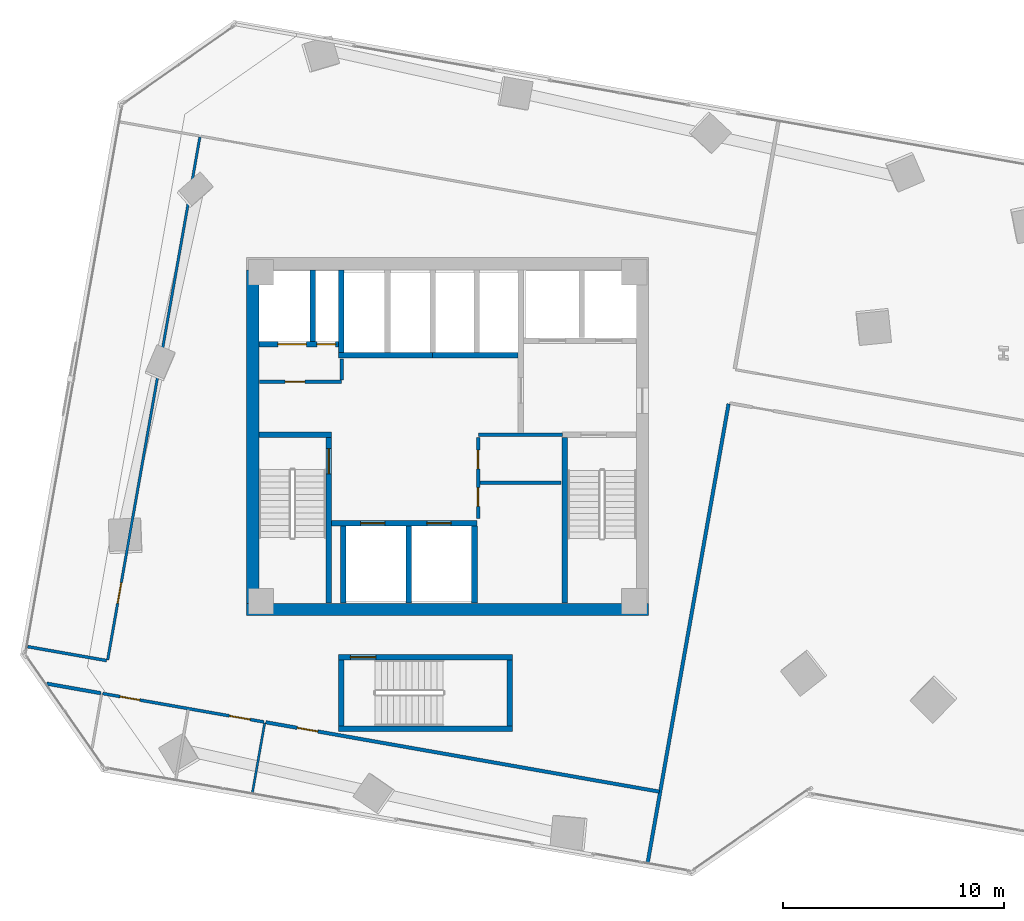
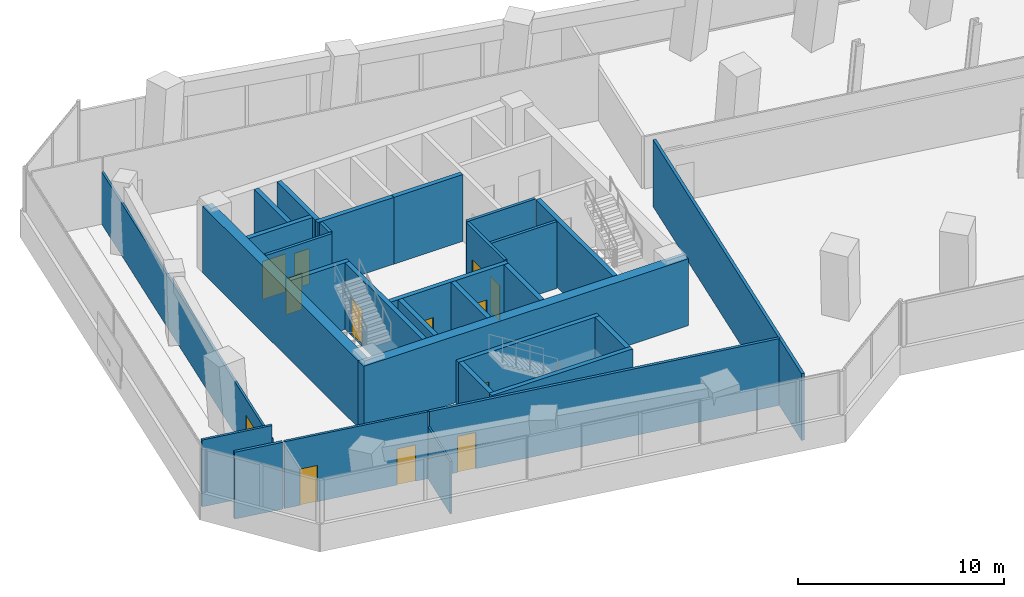
# One storey, part 20 of 24: 30 walls, 13 doors, 13 openings.
"""IFC4 building model written with IfcOpenShell, lengths in metres."""

from ifc_helpers import new_model, si_unit, direction, frame, frame_2d, origin, place, context, subcontext, project, spatial, rectangle, extrude, source, transform, mapped, material, layer, layer_set, type_object, element, fill, save


model = new_model("IFC4")

# Units and contexts
model_context = context("Model", 3, precision=1e-05, world=origin(), true_north=direction((0.0, 1.0)))
body_context = subcontext(model_context, "Body", "Model", "MODEL_VIEW")
ifc_project = project(units=[si_unit("LENGTHUNIT", "METRE"), si_unit("AREAUNIT", "SQUARE_METRE"), si_unit("VOLUMEUNIT", "CUBIC_METRE"), si_unit("PLANEANGLEUNIT", "RADIAN"), si_unit("MASSUNIT", "GRAM", prefix="KILO")], contexts=[model_context])

# Site, building, storey
site_placement = place(None, origin())
site = spatial("IfcSite", under=ifc_project, at=site_placement, CompositionType="ELEMENT")
building_placement = place(site_placement, origin())
building = spatial("IfcBuilding", under=site, at=building_placement, Name="Torre Montelarca", CompositionType="ELEMENT")
storey_placement = place(building_placement, frame((0.0, 0.0, 83.199951171875)))
storey = spatial("IfcBuildingStorey", under=building, at=storey_placement, Name="L18", CompositionType="ELEMENT", Elevation=83.199951171875)

# Wall, opening, door
ifc_material_1 = material(Name="Concrete C40/50", Category="concrete")
ifc_layer_1 = layer(ifc_material_1, 0.25, Name="Concrete C40/50", Category="concrete")
ifc_layer_set_1 = layer_set([ifc_layer_1], Name="Concrete C40/50")
wall_type_1 = type_object("IfcWallType", Name="CW-SHAFT-250", PredefinedType="SHEAR", material=ifc_layer_set_1)
wall_1_placement = place(storey_placement, frame((12.625, 24.4599609375, 0.0), z_axis=(0.0, 0.0, 1.0), x_axis=(0.0, 1.0, 0.0)))
wall_1 = element("IfcWall", 1, at=wall_1_placement, inside=storey, type_object=wall_type_1, Name="L18 Core Shear Wall SH-ST1-E", PredefinedType="SHEAR", context=body_context, shape_type="SweptSolid", body=[
    extrude(rectangle(XDim=7.489990234375, YDim=0.25, at=frame_2d((3.7451171875, 0.0))), origin(), (0.0, 0.0, 1.0), 3.9599609375),
])
opening_1_placement = place(wall_1_placement, frame((5.85009765625, 0.0, 0.0)))
opening_1 = element("IfcOpeningElement", 2, at=opening_1_placement, cuts=wall_1, Name="Opening FD-ST1", PredefinedType="OPENING", context=body_context, shape_type="SweptSolid", body=[
    extrude(rectangle(XDim=1.14990234375, YDim=2.199951171875, at=frame_2d((0.574951171875, 1.10009765625))), frame((0.0, 0.135009765625, 0.0), z_axis=(0.0, -1.0, 0.0), x_axis=(1.0, 0.0, 0.0)), (0.0, 0.0, 1.0), 0.27001953125),
])
ifc_material_2 = material(Name="Galvanized steel fire door", Category="steel")
door_type_1 = type_object("IfcDoorType", Name="DR-STAIR-115", OperationType="NOTDEFINED", PredefinedType="DOOR", material=ifc_material_2)
shared_shape_1 = source(origin(), body_context, "Body", "SweptSolid", [
    extrude(rectangle(XDim=1.14990234375, YDim=2.199951171875, at=frame_2d((0.574951171875, 1.10009765625))), frame((0.0, 0.02490234375, 0.0), z_axis=(0.0, -1.0, 0.0), x_axis=(1.0, 0.0, 0.0)), (0.0, 0.0, 1.0), 0.050048828125),
])
door_1_placement = place(opening_1_placement, origin())
door_1 = element("IfcDoor", 3, at=door_1_placement, inside=storey, type_object=door_type_1, Name="L18 Exit Stair ST1 Fire Door", OperationType="SINGLE_SWING_RIGHT", OverallHeight=2.199951171875, OverallWidth=1.14990234375, PredefinedType="DOOR", context=body_context, shape_type="MappedRepresentation", body=[
    mapped(shared_shape_1, transform((0.0, 0.0, 0.0), scale=1.0)),
])
fill(opening_1, door_1)

# Walls
wall_2_placement = place(storey_placement, frame((9.4599609375, 32.074951171875, 0.0), z_axis=(0.0, 0.0, 1.0), x_axis=(1.0, 0.0, 0.0)))
element("IfcWall", 4, at=wall_2_placement, inside=storey, type_object=wall_type_1, Name="L18 Core Shear Wall SH-ST1-N", PredefinedType="SHEAR", context=body_context, shape_type="SweptSolid", body=[
    extrude(rectangle(XDim=3.2900390625, YDim=0.25, at=frame_2d((1.64501953125, 0.0))), origin(), (0.0, 0.0, 1.0), 3.9599609375),
])
wall_3_placement = place(storey_placement, frame((23.31494140625, 24.4599609375, 0.0), z_axis=(0.0, 0.0, 1.0), x_axis=(0.0, 1.0, 0.0)))
element("IfcWall", 5, at=wall_3_placement, inside=storey, type_object=wall_type_1, Name="L18 Core Shear Wall SH-ST2-W", PredefinedType="SHEAR", context=body_context, shape_type="SweptSolid", body=[
    extrude(rectangle(XDim=7.489990234375, YDim=0.25, at=frame_2d((3.7451171875, 0.0))), origin(), (0.0, 0.0, 1.0), 3.9599609375),
])

# Wall, openings, doors
wall_4_placement = place(storey_placement, frame((9.4599609375, 36.179931640625, 0.0), z_axis=(0.0, 0.0, 1.0), x_axis=(1.0, 0.0, 0.0)))
wall_4 = element("IfcWall", 6, at=wall_4_placement, inside=storey, type_object=wall_type_1, Name="L18 Core Shear Wall SH-SV1-S", PredefinedType="SHEAR", context=body_context, shape_type="SweptSolid", body=[
    extrude(rectangle(XDim=3.7900390625, YDim=0.25, at=frame_2d((1.89501953125, 0.0))), origin(), (0.0, 0.0, 1.0), 3.9599609375),
])
opening_2_placement = place(wall_4_placement, frame((2.6201171875, 0.0, 0.0)))
opening_2 = element("IfcOpeningElement", 7, at=opening_2_placement, cuts=wall_4, Name="Opening FD-085", PredefinedType="OPENING", context=body_context, shape_type="SweptSolid", body=[
    extrude(rectangle(XDim=0.85009765625, YDim=2.10009765625, at=frame_2d((0.425048828125, 1.050048828125))), frame((0.0, 0.135009765625, 0.0), z_axis=(0.0, -1.0, 0.0), x_axis=(1.0, 0.0, 0.0)), (0.0, 0.0, 1.0), 0.27001953125),
])
opening_3_placement = place(wall_4_placement, frame((0.85009765625, 0.0, 0.0)))
opening_3 = element("IfcOpeningElement", 8, at=opening_3_placement, cuts=wall_4, Name="Opening LD-130", PredefinedType="OPENING", context=body_context, shape_type="SweptSolid", body=[
    extrude(rectangle(XDim=1.300048828125, YDim=2.25, at=frame_2d((0.64990234375, 1.125))), frame((0.0, 0.135009765625, 0.0), z_axis=(0.0, -1.0, 0.0), x_axis=(1.0, 0.0, 0.0)), (0.0, 0.0, 1.0), 0.27001953125),
])
ifc_material_3 = material(Name="Steel riser access fire door", Category="steel")
door_type_2 = type_object("IfcDoorType", Name="DR-RISER-085", OperationType="NOTDEFINED", PredefinedType="DOOR", material=ifc_material_3)
shared_shape_2 = source(origin(), body_context, "Body", "SweptSolid", [
    extrude(rectangle(XDim=0.85009765625, YDim=2.10009765625, at=frame_2d((0.425048828125, 1.050048828125))), frame((0.0, 0.02490234375, 0.0), z_axis=(0.0, -1.0, 0.0), x_axis=(1.0, 0.0, 0.0)), (0.0, 0.0, 1.0), 0.050048828125),
])
door_2_placement = place(opening_2_placement, origin())
door_2 = element("IfcDoor", 9, at=door_2_placement, inside=storey, type_object=door_type_2, Name="L18 Electrical Riser Shaft Access Door", OperationType="SINGLE_SWING_RIGHT", OverallHeight=2.10009765625, OverallWidth=0.85009765625, PredefinedType="DOOR", context=body_context, shape_type="MappedRepresentation", body=[
    mapped(shared_shape_2, transform((0.0, 0.0, 0.0), scale=1.0)),
])
fill(opening_2, door_2)
ifc_material_4 = material(Name="Brushed stainless steel AISI 316", Category="steel")
door_type_3 = type_object("IfcDoorType", Name="DR-LIFT-130", OperationType="SLIDING_TO_LEFT", PredefinedType="DOOR", material=ifc_material_4)
shared_shape_3 = source(origin(), body_context, "Body", "SweptSolid", [
    extrude(rectangle(XDim=1.300048828125, YDim=2.25, at=frame_2d((0.64990234375, 1.125))), frame((0.0, 0.02490234375, 0.0), z_axis=(0.0, -1.0, 0.0), x_axis=(1.0, 0.0, 0.0)), (0.0, 0.0, 1.0), 0.050048828125),
])
door_3_placement = place(opening_3_placement, origin())
door_3 = element("IfcDoor", 10, at=door_3_placement, inside=storey, type_object=door_type_3, Name="L18 Lift Landing Sliding Door SV-1", OperationType="SLIDING_TO_LEFT", OverallHeight=2.25, OverallWidth=1.300048828125, PredefinedType="DOOR", context=body_context, shape_type="MappedRepresentation", body=[
    mapped(shared_shape_3, transform((0.0, 0.0, 0.0), scale=1.0)),
])
fill(opening_3, door_3)

# Wall
wall_5_placement = place(storey_placement, frame((11.89990234375, 36.31005859375, 0.0), z_axis=(0.0, 0.0, 1.0), x_axis=(0.0, 1.0, 0.0)))
element("IfcWall", 11, at=wall_5_placement, inside=storey, type_object=wall_type_1, Name="L18 Core Shear Wall SH-SV1-E", PredefinedType="SHEAR", context=body_context, shape_type="SweptSolid", body=[
    extrude(rectangle(XDim=3.22998046875, YDim=0.25, at=frame_2d((1.614990234375, 0.0))), origin(), (0.0, 0.0, 1.0), 3.9599609375),
])

# Wall, openings, doors
wall_6_placement = place(storey_placement, frame((12.6298828125, 28.080078125, 0.0), z_axis=(0.0, 0.0, 1.0), x_axis=(1.0, 0.0, 0.0)))
wall_6 = element("IfcWall", 12, at=wall_6_placement, inside=storey, type_object=wall_type_1, Name="L18 Core Shear Wall SH-PLL-N", PredefinedType="SHEAR", context=body_context, shape_type="SweptSolid", body=[
    extrude(rectangle(XDim=6.710205078125, YDim=0.25, at=frame_2d((3.35498046875, 0.0))), origin(), (0.0, 0.0, 1.0), 3.9599609375),
])
opening_4_placement = place(wall_6_placement, frame((1.429931640625, 0.0, 0.0)))
opening_4 = element("IfcOpeningElement", 13, at=opening_4_placement, cuts=wall_6, Name="Opening LD-110", PredefinedType="OPENING", context=body_context, shape_type="SweptSolid", body=[
    extrude(rectangle(XDim=1.10009765625, YDim=2.199951171875, at=frame_2d((0.550048828125, 1.10009765625))), frame((0.0, 0.135009765625, 0.0), z_axis=(0.0, -1.0, 0.0), x_axis=(1.0, 0.0, 0.0)), (0.0, 0.0, 1.0), 0.27001953125),
])
opening_5_placement = place(wall_6_placement, frame((4.429931640625, 0.0, 0.0)))
opening_5 = element("IfcOpeningElement", 14, at=opening_5_placement, cuts=wall_6, Name="Opening LD-110", PredefinedType="OPENING", context=body_context, shape_type="SweptSolid", body=[
    extrude(rectangle(XDim=1.10009765625, YDim=2.199951171875, at=frame_2d((0.550048828125, 1.10009765625))), frame((0.0, 0.135009765625, 0.0), z_axis=(0.0, -1.0, 0.0), x_axis=(1.0, 0.0, 0.0)), (0.0, 0.0, 1.0), 0.27001953125),
])
door_type_4 = type_object("IfcDoorType", Name="DR-LIFT-110", OperationType="SLIDING_TO_LEFT", PredefinedType="DOOR", material=ifc_material_4)
shared_shape_4 = source(origin(), body_context, "Body", "SweptSolid", [
    extrude(rectangle(XDim=1.10009765625, YDim=2.199951171875, at=frame_2d((0.550048828125, 1.10009765625))), frame((0.0, 0.02490234375, 0.0), z_axis=(0.0, -1.0, 0.0), x_axis=(1.0, 0.0, 0.0)), (0.0, 0.0, 1.0), 0.050048828125),
])
door_4_placement = place(opening_4_placement, origin())
door_4 = element("IfcDoor", 15, at=door_4_placement, inside=storey, type_object=door_type_4, Name="L18 Lift Landing Sliding Door PL-L1", OperationType="SLIDING_TO_LEFT", OverallHeight=2.199951171875, OverallWidth=1.10009765625, PredefinedType="DOOR", context=body_context, shape_type="MappedRepresentation", body=[
    mapped(shared_shape_4, transform((0.0, 0.0, 0.0), scale=1.0)),
])
fill(opening_4, door_4)
door_5_placement = place(opening_5_placement, origin())
door_5 = element("IfcDoor", 16, at=door_5_placement, inside=storey, type_object=door_type_4, Name="L18 Lift Landing Sliding Door PL-L2", OperationType="SLIDING_TO_RIGHT", OverallHeight=2.199951171875, OverallWidth=1.10009765625, PredefinedType="DOOR", context=body_context, shape_type="MappedRepresentation", body=[
    mapped(shared_shape_4, transform((0.0, 0.0, 0.0), scale=1.0)),
])
fill(opening_5, door_5)

# Walls
for number, where, z_axis, x_axis, name in (
    (17, (13.280029296875, 24.4599609375, 0.0), (0.0, 0.0, 1.0), (0.0, 1.0, 0.0), "L18 Core Shear Wall SH-PLL-W"),
    (18, (16.25, 24.4599609375, 0.0), (0.0, 0.0, 1.0), (0.0, 1.0, 0.0), "L18 Core Shear Wall SH-PLL-M"),
    (19, (19.219970703125, 24.4599609375, 0.0), (0.0, 0.0, 1.0), (0.0, 1.0, 0.0), "L18 Core Shear Wall SH-PLL-E"),
):
    element("IfcWall", number, at=place(storey_placement, frame(where, z_axis=z_axis, x_axis=x_axis)), inside=storey, type_object=wall_type_1, Name=name, PredefinedType="SHEAR", context=body_context, shape_type="SweptSolid", body=[
        extrude(rectangle(XDim=3.489990234375, YDim=0.25, at=frame_2d((1.7451171875, 0.0))), origin(), (0.0, 0.0, 1.0), 3.9599609375),
    ])
wall_7_placement = place(storey_placement, frame((13.06005859375, 35.679931640625, 0.0), z_axis=(0.0, 0.0, 1.0), x_axis=(1.0, 0.0, 0.0)))
element("IfcWall", 20, at=wall_7_placement, inside=storey, type_object=wall_type_1, Name="L18 Core Shear Wall SH-PLM-S", PredefinedType="SHEAR", context=body_context, shape_type="SweptSolid", body=[
    extrude(rectangle(XDim=4.25, YDim=0.25, at=frame_2d((2.125, 0.0))), origin(), (0.0, 0.0, 1.0), 3.9599609375),
])
wall_8_placement = place(storey_placement, frame((13.179931640625, 35.81005859375, 0.0), z_axis=(0.0, 0.0, 1.0), x_axis=(0.0, 1.0, 0.0)))
element("IfcWall", 21, at=wall_8_placement, inside=storey, type_object=wall_type_1, Name="L18 Core Shear Wall SH-PLM-W", PredefinedType="SHEAR", context=body_context, shape_type="SweptSolid", body=[
    extrude(rectangle(XDim=3.72998046875, YDim=0.25, at=frame_2d((1.864990234375, 0.0))), origin(), (0.0, 0.0, 1.0), 3.9599609375),
])
wall_9_placement = place(storey_placement, frame((17.320068359375, 35.679931640625, 0.0), z_axis=(0.0, 0.0, 1.0), x_axis=(1.0, 0.0, 0.0)))
element("IfcWall", 22, at=wall_9_placement, inside=storey, type_object=wall_type_1, Name="L18 Core Shear Wall SH-PLH-S", PredefinedType="SHEAR", context=body_context, shape_type="SweptSolid", body=[
    extrude(rectangle(XDim=3.869873046875, YDim=0.25, at=frame_2d((1.93505859375, 0.0))), origin(), (0.0, 0.0, 1.0), 3.9599609375),
])
for number, where, z_axis, x_axis, name in (
    (23, (13.175048828125, 18.89990234375, 0.0), (0.0, 0.0, 1.0), (0.0, 1.0, 0.0), "L18 Core Shear Wall SH-ST3-W"),
    (24, (20.824951171875, 18.89990234375, 0.0), (0.0, 0.0, 1.0), (0.0, 1.0, 0.0), "L18 Core Shear Wall SH-ST3-E"),
):
    element("IfcWall", number, at=place(storey_placement, frame(where, z_axis=z_axis, x_axis=x_axis)), inside=storey, type_object=wall_type_1, Name=name, PredefinedType="SHEAR", context=body_context, shape_type="SweptSolid", body=[
        extrude(rectangle(XDim=2.989990234375, YDim=0.25, at=frame_2d((1.4951171875, 0.0))), origin(), (0.0, 0.0, 1.0), 3.9599609375),
    ])
wall_10_placement = place(storey_placement, frame((13.050048828125, 18.77490234375, 0.0), z_axis=(0.0, 0.0, 1.0), x_axis=(1.0, 0.0, 0.0)))
element("IfcWall", 25, at=wall_10_placement, inside=storey, type_object=wall_type_1, Name="L18 Core Shear Wall SH-ST3-S", PredefinedType="SHEAR", context=body_context, shape_type="SweptSolid", body=[
    extrude(rectangle(XDim=7.89990234375, YDim=0.25, at=frame_2d((3.949951171875, 0.0))), origin(), (0.0, 0.0, 1.0), 3.9599609375),
])

# Wall, opening, door
wall_11_placement = place(storey_placement, frame((13.050048828125, 22.014892578125, 0.0), z_axis=(0.0, 0.0, 1.0), x_axis=(1.0, 0.0, 0.0)))
wall_11 = element("IfcWall", 26, at=wall_11_placement, inside=storey, type_object=wall_type_1, Name="L18 Core Shear Wall SH-ST3-N", PredefinedType="SHEAR", context=body_context, shape_type="SweptSolid", body=[
    extrude(rectangle(XDim=7.89990234375, YDim=0.25, at=frame_2d((3.949951171875, 0.0))), origin(), (0.0, 0.0, 1.0), 3.9599609375),
])
opening_6_placement = place(wall_11_placement, frame((0.550048828125, 0.0, 0.0)))
opening_6 = element("IfcOpeningElement", 27, at=opening_6_placement, cuts=wall_11, Name="Opening FD-ST1", PredefinedType="OPENING", context=body_context, shape_type="SweptSolid", body=[
    extrude(rectangle(XDim=1.14990234375, YDim=2.199951171875, at=frame_2d((0.574951171875, 1.10009765625))), frame((0.0, 0.135009765625, 0.0), z_axis=(0.0, -1.0, 0.0), x_axis=(1.0, 0.0, 0.0)), (0.0, 0.0, 1.0), 0.27001953125),
])
door_6_placement = place(opening_6_placement, origin())
door_6 = element("IfcDoor", 28, at=door_6_placement, inside=storey, type_object=door_type_1, Name="L18 Exit Stair ST3 Fire Door", OperationType="SINGLE_SWING_LEFT", OverallHeight=2.199951171875, OverallWidth=1.14990234375, PredefinedType="DOOR", context=body_context, shape_type="MappedRepresentation", body=[
    mapped(shared_shape_1, transform((0.0, 0.0, 0.0), scale=1.0)),
])
fill(opening_6, door_6)

# Walls
ifc_material_5 = material(Name="Concrete C70/85", Category="concrete")
ifc_layer_2 = layer(ifc_material_5, 0.550048828125, Name="Concrete C70/85", Category="concrete")
ifc_layer_set_2 = layer_set([ifc_layer_2], Name="Concrete C70/85")
wall_type_2 = type_object("IfcWallType", Name="CW-SHEAR-550", PredefinedType="SHEAR", material=ifc_layer_set_2)
wall_12_placement = place(storey_placement, frame((9.175048828125, 24.449951171875, 0.0), z_axis=(0.0, 0.0, 1.0), x_axis=(0.0, 1.0, 0.0)))
element("IfcWall", 29, at=wall_12_placement, inside=storey, type_object=wall_type_2, Name="L18 Core Shear Wall CW-W", PredefinedType="SHEAR", context=body_context, shape_type="SweptSolid", body=[
    extrude(rectangle(XDim=15.10009765625, YDim=0.550048828125, at=frame_2d((7.550048828125, 0.0))), origin(), (0.0, 0.0, 1.0), 3.9599609375),
])
wall_13_placement = place(storey_placement, frame((8.89990234375, 24.175048828125, 0.0), z_axis=(0.0, 0.0, 1.0), x_axis=(1.0, 0.0, 0.0)))
element("IfcWall", 30, at=wall_13_placement, inside=storey, type_object=wall_type_2, Name="L18 Core Shear Wall CW-S1", PredefinedType="SHEAR", context=body_context, shape_type="SweptSolid", body=[
    extrude(rectangle(XDim=18.2001953125, YDim=0.550048828125, at=frame_2d((9.10009765625, 0.0))), origin(), (0.0, 0.0, 1.0), 3.9599609375),
])

# Wall, opening, door
ifc_material_6 = material(Name="Gypsum plasterboard on steel stud", Category="steel")
ifc_layer_3 = layer(ifc_material_6, 0.159912109375, Name="Gypsum plasterboard on steel stud", Category="steel")
ifc_layer_set_3 = layer_set([ifc_layer_3], Name="Gypsum plasterboard on steel stud")
wall_type_3 = type_object("IfcWallType", Name="PW-FIRE-160", PredefinedType="PARTITIONING", material=ifc_layer_set_3)
wall_14_placement = place(storey_placement, frame((9.489990234375, 34.47998046875, 0.0), z_axis=(0.0, 0.0, 1.0), x_axis=(1.0, 0.0, 0.0)))
wall_14 = element("IfcWall", 31, at=wall_14_placement, inside=storey, type_object=wall_type_3, Name="L18 Interior Partition CW-L18-SVS", PredefinedType="PARTITIONING", context=body_context, shape_type="SweptSolid", body=[
    extrude(rectangle(XDim=3.699951171875, YDim=0.159912109375, at=frame_2d((1.85009765625, 0.0))), origin(), (0.0, 0.0, 1.0), 3.9599609375),
])
opening_7_placement = place(wall_14_placement, frame((1.14990234375, 0.0, 0.0)))
opening_7 = element("IfcOpeningElement", 32, at=opening_7_placement, cuts=wall_14, Name="Opening FD-090", PredefinedType="OPENING", context=body_context, shape_type="SweptSolid", body=[
    extrude(rectangle(XDim=0.89990234375, YDim=2.14990234375, at=frame_2d((0.449951171875, 1.074951171875))), frame((0.0, 0.08984375, 0.0), z_axis=(0.0, -1.0, 0.0), x_axis=(1.0, 0.0, 0.0)), (0.0, 0.0, 1.0), 0.179931640625),
])
ifc_material_7 = material(Name="Steel service fire door", Category="steel")
door_type_5 = type_object("IfcDoorType", Name="DR-FIRE-090", OperationType="NOTDEFINED", PredefinedType="DOOR", material=ifc_material_7)
shared_shape_5 = source(origin(), body_context, "Body", "SweptSolid", [
    extrude(rectangle(XDim=0.89990234375, YDim=2.14990234375, at=frame_2d((0.449951171875, 1.074951171875))), frame((0.0, 0.02490234375, 0.0), z_axis=(0.0, -1.0, 0.0), x_axis=(1.0, 0.0, 0.0)), (0.0, 0.0, 1.0), 0.050048828125),
])
door_7_placement = place(opening_7_placement, origin())
door_7 = element("IfcDoor", 33, at=door_7_placement, inside=storey, type_object=door_type_5, Name="L18 Interior Door 01", OperationType="SINGLE_SWING_RIGHT", OverallHeight=2.14990234375, OverallWidth=0.89990234375, PredefinedType="DOOR", context=body_context, shape_type="MappedRepresentation", body=[
    mapped(shared_shape_5, transform((0.0, 0.0, 0.0), scale=1.0)),
])
fill(opening_7, door_7)

# Walls
wall_15_placement = place(storey_placement, frame((13.199951171875, 34.570068359375, 0.0), z_axis=(0.0, 0.0, 1.0), x_axis=(0.0, 1.0, 0.0)))
element("IfcWall", 34, at=wall_15_placement, inside=storey, type_object=wall_type_3, Name="L18 Interior Partition CW-L18-SVE", PredefinedType="PARTITIONING", context=body_context, shape_type="SweptSolid", body=[
    extrude(rectangle(XDim=0.93994140625, YDim=0.159912109375, at=frame_2d((0.469970703125, 0.0))), origin(), (0.0, 0.0, 1.0), 3.9599609375),
])
wall_16_placement = place(storey_placement, frame((19.389892578125, 32.080078125, 0.0), z_axis=(0.0, 0.0, 1.0), x_axis=(1.0, 0.0, 0.0)))
element("IfcWall", 35, at=wall_16_placement, inside=storey, type_object=wall_type_3, Name="L18 Interior Partition CW-L18-SEN", PredefinedType="PARTITIONING", context=body_context, shape_type="SweptSolid", body=[
    extrude(rectangle(XDim=3.820068359375, YDim=0.159912109375, at=frame_2d((1.91015625, 0.0))), origin(), (0.0, 0.0, 1.0), 3.9599609375),
])

# Wall, openings, doors
wall_17_placement = place(storey_placement, frame((19.3798828125, 28.2900390625, 0.0), z_axis=(0.0, 0.0, 1.0), x_axis=(0.0, 1.0, 0.0)))
wall_17 = element("IfcWall", 36, at=wall_17_placement, inside=storey, type_object=wall_type_3, Name="L18 Interior Partition CW-L18-SEW", PredefinedType="PARTITIONING", context=body_context, shape_type="SweptSolid", body=[
    extrude(rectangle(XDim=3.669921875, YDim=0.159912109375, at=frame_2d((1.8349609375, 0.0))), origin(), (0.0, 0.0, 1.0), 3.9599609375),
])
opening_8_placement = place(wall_17_placement, frame((0.550048828125, 0.0, 0.0)))
opening_8 = element("IfcOpeningElement", 37, at=opening_8_placement, cuts=wall_17, Name="Opening FD-085", PredefinedType="OPENING", context=body_context, shape_type="SweptSolid", body=[
    extrude(rectangle(XDim=0.85009765625, YDim=2.10009765625, at=frame_2d((0.425048828125, 1.050048828125))), frame((0.0, 0.08984375, 0.0), z_axis=(0.0, -1.0, 0.0), x_axis=(1.0, 0.0, 0.0)), (0.0, 0.0, 1.0), 0.179931640625),
])
opening_9_placement = place(wall_17_placement, frame((2.25, 0.0, 0.0)))
opening_9 = element("IfcOpeningElement", 38, at=opening_9_placement, cuts=wall_17, Name="Opening FD-085", PredefinedType="OPENING", context=body_context, shape_type="SweptSolid", body=[
    extrude(rectangle(XDim=0.85009765625, YDim=2.10009765625, at=frame_2d((0.425048828125, 1.050048828125))), frame((0.0, 0.08984375, 0.0), z_axis=(0.0, -1.0, 0.0), x_axis=(1.0, 0.0, 0.0)), (0.0, 0.0, 1.0), 0.179931640625),
])
door_8_placement = place(opening_8_placement, origin())
door_8 = element("IfcDoor", 39, at=door_8_placement, inside=storey, type_object=door_type_2, Name="L18 Interior Door 02", OperationType="SINGLE_SWING_LEFT", OverallHeight=2.10009765625, OverallWidth=0.85009765625, PredefinedType="DOOR", context=body_context, shape_type="MappedRepresentation", body=[
    mapped(shared_shape_2, transform((0.0, 0.0, 0.0), scale=1.0)),
])
fill(opening_8, door_8)
door_9_placement = place(opening_9_placement, origin())
door_9 = element("IfcDoor", 40, at=door_9_placement, inside=storey, type_object=door_type_2, Name="L18 Interior Door 03", OperationType="SINGLE_SWING_RIGHT", OverallHeight=2.10009765625, OverallWidth=0.85009765625, PredefinedType="DOOR", context=body_context, shape_type="MappedRepresentation", body=[
    mapped(shared_shape_2, transform((0.0, 0.0, 0.0), scale=1.0)),
])
fill(opening_9, door_9)

# Walls
wall_18_placement = place(storey_placement, frame((19.419921875, 29.89990234375, 0.0), z_axis=(0.0, 0.0, 1.0), x_axis=(1.0, 0.0, 0.0)))
element("IfcWall", 41, at=wall_18_placement, inside=storey, type_object=wall_type_3, Name="L18 Interior Partition CW-L18-SEM", PredefinedType="PARTITIONING", context=body_context, shape_type="SweptSolid", body=[
    extrude(rectangle(XDim=3.719970703125, YDim=0.159912109375, at=frame_2d((1.85986328125, 0.0))), origin(), (0.0, 0.0, 1.0), 3.9599609375),
])
wall_19_placement = place(storey_placement, frame((-0.154052734375, 20.810302734375, 0.0), z_axis=(0.0, 0.0, 1.0), x_axis=(0.984798349436, -0.173701499557, 0.0)))
element("IfcWall", 42, at=wall_19_placement, inside=storey, type_object=wall_type_3, Name="L18 Interior Partition W-L18-SOCCW", PredefinedType="PARTITIONING", context=body_context, shape_type="SweptSolid", body=[
    extrude(rectangle(XDim=2.491943359375, YDim=0.159912109375, at=frame_2d((1.24609375, 0.0))), origin(), (0.0, 0.0, 1.0), 3.9599609375),
])

# Wall, opening, door
wall_20_placement = place(storey_placement, frame((9.764892578125, 19.061279296875, 0.0), z_axis=(0.0, 0.0, 1.0), x_axis=(0.984807312871, -0.173650673815, 0.0)))
wall_20 = element("IfcWall", 43, at=wall_20_placement, inside=storey, type_object=wall_type_3, Name="L18 Interior Partition W-L18-SOCCN", PredefinedType="PARTITIONING", context=body_context, shape_type="SweptSolid", body=[
    extrude(rectangle(XDim=18.099853515625, YDim=0.159912109375, at=frame_2d((9.0498046875, 0.0))), origin(), (0.0, 0.0, 1.0), 3.9599609375),
])
opening_10_placement = place(wall_20_placement, frame((1.449951171875, 0.0, 0.0)))
opening_10 = element("IfcOpeningElement", 44, at=opening_10_placement, cuts=wall_20, Name="Opening FD-095", PredefinedType="OPENING", context=body_context, shape_type="SweptSolid", body=[
    extrude(rectangle(XDim=0.949951171875, YDim=2.14990234375, at=frame_2d((0.47509765625, 1.074951171875))), frame((0.0, 0.08984375, 0.0), z_axis=(0.0, -1.0, 0.0), x_axis=(1.0, 0.0, 0.0)), (0.0, 0.0, 1.0), 0.179931640625),
])
ifc_material_8 = material(Name="Timber fire-rated room door", Category="wood")
door_type_6 = type_object("IfcDoorType", Name="DR-FIRE-095", OperationType="NOTDEFINED", PredefinedType="DOOR", material=ifc_material_8)
shared_shape_6 = source(origin(), body_context, "Body", "SweptSolid", [
    extrude(rectangle(XDim=0.949951171875, YDim=2.14990234375, at=frame_2d((0.47509765625, 1.074951171875))), frame((0.0, 0.02490234375, 0.0), z_axis=(0.0, -1.0, 0.0), x_axis=(1.0, 0.0, 0.0)), (0.0, 0.0, 1.0), 0.050048828125),
])
door_10_placement = place(opening_10_placement, origin())
door_10 = element("IfcDoor", 45, at=door_10_placement, inside=storey, type_object=door_type_6, Name="L18 Interior Door 06", OperationType="SINGLE_SWING_RIGHT", OverallHeight=2.14990234375, OverallWidth=0.949951171875, PredefinedType="DOOR", context=body_context, shape_type="MappedRepresentation", body=[
    mapped(shared_shape_6, transform((0.0, 0.0, 0.0), scale=1.0)),
])
fill(opening_10, door_10)

# Walls
wall_21_placement = place(storey_placement, frame((27.066650390625, 12.720458984375, 0.0), z_axis=(0.0, 0.0, 1.0), x_axis=(0.173654514703, 0.984806635601, 0.0)))
element("IfcWall", 46, at=wall_21_placement, inside=storey, type_object=wall_type_3, Name="L18 Interior Partition W-L18-ECS", PredefinedType="PARTITIONING", context=body_context, shape_type="SweptSolid", body=[
    extrude(rectangle(XDim=21.080078125, YDim=0.159912109375, at=frame_2d((10.5400390625, 0.0))), origin(), (0.0, 0.0, 1.0), 3.9599609375),
])
ifc_material_9 = material(Name="Acoustic laminated glass partition", Category="glass")
ifc_layer_4 = layer(ifc_material_9, 0.10009765625, Name="Acoustic laminated glass partition", Category="glass")
ifc_layer_set_4 = layer_set([ifc_layer_4], Name="Acoustic laminated glass partition")
wall_type_4 = type_object("IfcWallType", Name="PW-GLAZ-100", PredefinedType="PARTITIONING", material=ifc_layer_set_4)
wall_22_placement = place(storey_placement, frame((9.162841796875, 15.87744140625, 0.0), z_axis=(0.0, 0.0, 1.0), x_axis=(0.173646056486, 0.984808127031, 0.0)))
element("IfcWall", 47, at=wall_22_placement, inside=storey, type_object=wall_type_4, Name="L18 Interior Partition W-L18-SWCDIV", PredefinedType="PARTITIONING", context=body_context, shape_type="SweptSolid", body=[
    extrude(rectangle(XDim=3.199951171875, YDim=0.10009765625, at=frame_2d((1.60009765625, 0.0))), origin(), (0.0, 0.0, 1.0), 3.094970703125),
])

# Wall, opening, door
ifc_layer_5 = layer(ifc_material_6, 0.114990234375, Name="Gypsum plasterboard on steel stud", Category="steel")
ifc_layer_set_5 = layer_set([ifc_layer_5], Name="Gypsum plasterboard on steel stud")
wall_type_5 = type_object("IfcWallType", Name="PW-PART-115", PredefinedType="PARTITIONING", material=ifc_layer_set_5)
wall_23_placement = place(storey_placement, frame((2.606689453125, 21.88720703125, 0.0), z_axis=(0.0, 0.0, 1.0), x_axis=(0.173659666579, 0.984805727138, 0.0)))
wall_23 = element("IfcWall", 48, at=wall_23_placement, inside=storey, type_object=wall_type_5, Name="L18 Interior Partition W-L18-WWGE", PredefinedType="PARTITIONING", context=body_context, shape_type="SweptSolid", body=[
    extrude(rectangle(XDim=24.050048828125, YDim=0.114990234375, at=frame_2d((12.02490234375, 0.0))), origin(), (0.0, 0.0, 1.0), 3.094970703125),
])
opening_11_placement = place(wall_23_placement, frame((2.60009765625, 0.0, 0.0)))
opening_11 = element("IfcOpeningElement", 49, at=opening_11_placement, cuts=wall_23, Name="Opening ID-095", PredefinedType="OPENING", context=body_context, shape_type="SweptSolid", body=[
    extrude(rectangle(XDim=0.949951171875, YDim=2.14990234375, at=frame_2d((0.47509765625, 1.074951171875))), frame((0.0, 0.0673828125, 0.0), z_axis=(0.0, -1.0, 0.0), x_axis=(1.0, 0.0, 0.0)), (0.0, 0.0, 1.0), 0.135009765625),
])
ifc_material_10 = material(Name="Hardwood acoustic timber veneer", Category="wood")
door_type_7 = type_object("IfcDoorType", Name="DR-INT-095", OperationType="NOTDEFINED", PredefinedType="DOOR", material=ifc_material_10)
shared_shape_7 = source(origin(), body_context, "Body", "SweptSolid", [
    extrude(rectangle(XDim=0.949951171875, YDim=2.14990234375, at=frame_2d((0.47509765625, 1.074951171875))), frame((0.0, 0.02490234375, 0.0), z_axis=(0.0, -1.0, 0.0), x_axis=(1.0, 0.0, 0.0)), (0.0, 0.0, 1.0), 0.050048828125),
])
door_11_placement = place(opening_11_placement, origin())
door_11 = element("IfcDoor", 50, at=door_11_placement, inside=storey, type_object=door_type_7, Name="L18 Interior Door 08", OperationType="SINGLE_SWING_LEFT", OverallHeight=2.14990234375, OverallWidth=0.949951171875, PredefinedType="DOOR", context=body_context, shape_type="MappedRepresentation", body=[
    mapped(shared_shape_7, transform((0.0, 0.0, 0.0), scale=1.0)),
])
fill(opening_11, door_11)

# Wall, openings, doors
ifc_layer_6 = layer(ifc_material_6, 0.135009765625, Name="Gypsum plasterboard on steel stud", Category="steel")
ifc_layer_set_6 = layer_set([ifc_layer_6], Name="Gypsum plasterboard on steel stud")
wall_type_6 = type_object("IfcWallType", Name="PW-PART-135", PredefinedType="PARTITIONING", material=ifc_layer_set_6)
wall_24_placement = place(storey_placement, frame((2.37890625, 20.363525390625, 0.0), z_axis=(0.0, 0.0, 1.0), x_axis=(0.984810378022, -0.173633289837, 0.0)))
wall_24 = element("IfcWall", 51, at=wall_24_placement, inside=storey, type_object=wall_type_6, Name="L18 Interior Partition W-L18-WCN", PredefinedType="PARTITIONING", context=body_context, shape_type="SweptSolid", body=[
    extrude(rectangle(XDim=7.419921875, YDim=0.135009765625, at=frame_2d((3.7099609375, 0.0))), origin(), (0.0, 0.0, 1.0), 3.9599609375),
])
opening_12_placement = place(wall_24_placement, frame((0.800048828125, 0.0, 0.0)))
opening_12 = element("IfcOpeningElement", 52, at=opening_12_placement, cuts=wall_24, Name="Opening ID-090", PredefinedType="OPENING", context=body_context, shape_type="SweptSolid", body=[
    extrude(rectangle(XDim=0.89990234375, YDim=2.14990234375, at=frame_2d((0.449951171875, 1.074951171875))), frame((0.0, 0.07763671875, 0.0), z_axis=(0.0, -1.0, 0.0), x_axis=(1.0, 0.0, 0.0)), (0.0, 0.0, 1.0), 0.155029296875),
])
opening_13_placement = place(wall_24_placement, frame((5.830078125, 0.0, 0.0)))
opening_13 = element("IfcOpeningElement", 53, at=opening_13_placement, cuts=wall_24, Name="Opening ID-095", PredefinedType="OPENING", context=body_context, shape_type="SweptSolid", body=[
    extrude(rectangle(XDim=0.949951171875, YDim=2.14990234375, at=frame_2d((0.47509765625, 1.074951171875))), frame((0.0, 0.07763671875, 0.0), z_axis=(0.0, -1.0, 0.0), x_axis=(1.0, 0.0, 0.0)), (0.0, 0.0, 1.0), 0.155029296875),
])
door_type_8 = type_object("IfcDoorType", Name="DR-INT-090", OperationType="NOTDEFINED", PredefinedType="DOOR", material=ifc_material_10)
shared_shape_8 = source(origin(), body_context, "Body", "SweptSolid", [
    extrude(rectangle(XDim=0.89990234375, YDim=2.14990234375, at=frame_2d((0.449951171875, 1.074951171875))), frame((0.0, 0.02490234375, 0.0), z_axis=(0.0, -1.0, 0.0), x_axis=(1.0, 0.0, 0.0)), (0.0, 0.0, 1.0), 0.050048828125),
])
door_12_placement = place(opening_12_placement, origin())
door_12 = element("IfcDoor", 54, at=door_12_placement, inside=storey, type_object=door_type_8, Name="L18 Interior Door 04", OperationType="SINGLE_SWING_LEFT", OverallHeight=2.14990234375, OverallWidth=0.89990234375, PredefinedType="DOOR", context=body_context, shape_type="MappedRepresentation", body=[
    mapped(shared_shape_8, transform((0.0, 0.0, 0.0), scale=1.0)),
])
fill(opening_12, door_12)
door_13_placement = place(opening_13_placement, origin())
door_13 = element("IfcDoor", 55, at=door_13_placement, inside=storey, type_object=door_type_7, Name="L18 Interior Door 05", OperationType="SINGLE_SWING_RIGHT", OverallHeight=2.14990234375, OverallWidth=0.949951171875, PredefinedType="DOOR", context=body_context, shape_type="MappedRepresentation", body=[
    mapped(shared_shape_7, transform((0.0, 0.0, 0.0), scale=1.0)),
])
fill(opening_13, door_13)

# Wall
wall_25_placement = place(storey_placement, frame((-1.014404296875, 22.485107421875, 0.0), z_axis=(0.0, 0.0, 1.0), x_axis=(0.984795743306, -0.173716274326, 0.0)))
element("IfcWall", 56, at=wall_25_placement, inside=storey, type_object=wall_type_6, Name="L18 Interior Partition W-L18-WWGS", PredefinedType="PARTITIONING", context=body_context, shape_type="SweptSolid", body=[
    extrude(rectangle(XDim=3.630126953125, YDim=0.135009765625, at=frame_2d((1.81494140625, 0.0))), origin(), (0.0, 0.0, 1.0), 3.9599609375),
])

save(model, "model.ifc")
